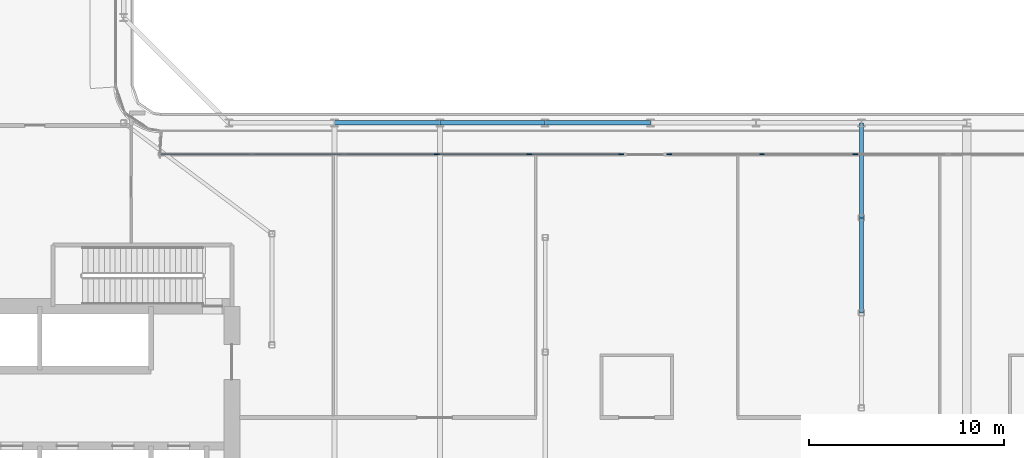
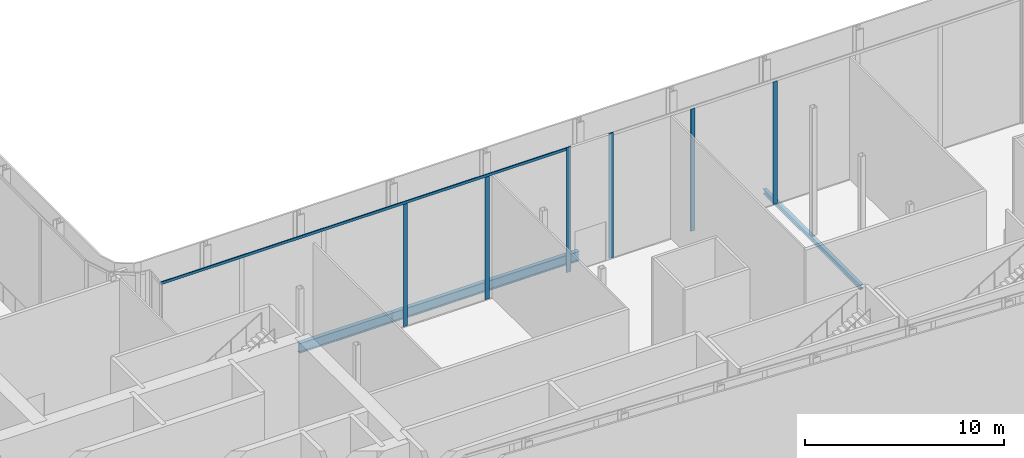
# One storey, part 10 of 37: 7 members, 5 beams, 2 elements without a shape of their own.
"""IFC4 building model written with IfcOpenShell, lengths in metres."""

from ifc_helpers import new_model, si_unit, direction, frame, origin, origin_2d, place, context, subcontext, project, spatial, rectangle, i_section, extrude, material, layer, layer_set, material_profile, profile_set, type_object, element, aggregate, save


model = new_model("IFC4")

# Units and contexts
model_context = context("Model", 3, precision=1e-05, world=origin(), true_north=direction((0.0, 1.0)))
body_context = subcontext(model_context, "Body", "Model", "MODEL_VIEW")
ifc_project = project(units=[si_unit("LENGTHUNIT", "METRE"), si_unit("AREAUNIT", "SQUARE_METRE"), si_unit("VOLUMEUNIT", "CUBIC_METRE"), si_unit("PLANEANGLEUNIT", "RADIAN"), si_unit("MASSUNIT", "GRAM", prefix="KILO")], contexts=[model_context])

# Site, building, storey
site_placement = place(None, origin())
site = spatial("IfcSite", under=ifc_project, at=site_placement, CompositionType="ELEMENT")
building_placement = place(site_placement, origin())
building = spatial("IfcBuilding", under=site, at=building_placement, Name="Kheshtan School and Residences Tower", CompositionType="ELEMENT")
storey_placement = place(building_placement, frame((0.0, 0.0, 144.800048828125)))
storey = spatial("IfcBuildingStorey", under=building, at=storey_placement, Name="L34", CompositionType="ELEMENT", Elevation=144.800048828125)

# Beams
ifc_material_1 = material(Name="Steel ASTM A992 Grade 50", Category="steel")
ifc_material_profile_1 = material_profile(ifc_material_1, i_section(OverallWidth=0.202880859375, OverallDepth=0.302978515625, WebThickness=0.007568359375, FlangeThickness=0.01318359375, FilletRadius=0.009033203125, at=origin_2d()), Name="W310x60")
ifc_profile_set_1 = profile_set([ifc_material_profile_1], Name="Steel ASTM A992 Grade 50")
beam_type_1 = type_object("IfcBeamType", Name="Beam FB1 W310x60 ASTM A992 Grade 50", PredefinedType="BEAM", material=ifc_profile_set_1)
for number, where, z_axis, x_axis, name in (
    (1, (85.39990234375, 45.60009765625, -0.301513671875), (0.0, -1.0, 0.0), (1.0, 0.0, 0.0), "Floor beam C067"),
    (2, (85.39990234375, 40.735107421875, -0.301513671875), (0.0, -1.0, 0.0), (1.0, 0.0, 0.0), "Floor beam IC"),
):
    element("IfcBeam", number, at=place(storey_placement, frame(where, z_axis=z_axis, x_axis=x_axis)), inside=storey, type_object=beam_type_1, Name=name, PredefinedType="BEAM", context=body_context, shape_type="SweptSolid", body=[
        extrude(i_section(OverallWidth=0.202880859375, OverallDepth=0.302978515625, WebThickness=0.007568359375, FlangeThickness=0.01318359375, FilletRadius=0.009033203125, at=origin_2d()), origin(), (0.0, 0.0, 1.0), 4.864990234375),
    ])
ifc_material_profile_2 = material_profile(ifc_material_1, i_section(OverallWidth=0.22802734375, OverallDepth=0.60302734375, WebThickness=0.010498046875, FlangeThickness=0.014892578125, FilletRadius=0.013427734375, at=origin_2d()), Name="W610x101")
ifc_profile_set_2 = profile_set([ifc_material_profile_2], Name="Steel ASTM A992 Grade 50")
beam_type_2 = type_object("IfcBeamType", Name="Beam SP2 W610x101 ASTM A992 Grade 50", PredefinedType="BEAM", material=ifc_profile_set_2)
beam_1_placement = place(storey_placement, frame((58.39990234375, 45.60009765625, -0.45166015625), z_axis=(1.0, 0.0, 0.0), x_axis=(0.0, 1.0, 0.0)))
element("IfcBeam", 3, at=beam_1_placement, inside=storey, type_object=beam_type_2, Name="Spandrel beam C062-C063", PredefinedType="BEAM", context=body_context, shape_type="SweptSolid", body=[
    extrude(i_section(OverallWidth=0.22802734375, OverallDepth=0.60302734375, WebThickness=0.010498046875, FlangeThickness=0.014892578125, FilletRadius=0.013427734375, at=origin_2d()), origin(), (0.0, 0.0, 1.0), 5.400146484375),
])
beam_2_placement = place(storey_placement, frame((63.800048828125, 45.60009765625, -0.45166015625), z_axis=(1.0, 0.0, 0.0), x_axis=(0.0, 1.0, 0.0)))
element("IfcBeam", 4, at=beam_2_placement, inside=storey, type_object=beam_type_2, Name="Spandrel beam C063-C064", PredefinedType="BEAM", context=body_context, shape_type="SweptSolid", body=[
    extrude(i_section(OverallWidth=0.22802734375, OverallDepth=0.60302734375, WebThickness=0.010498046875, FlangeThickness=0.014892578125, FilletRadius=0.013427734375, at=origin_2d()), origin(), (0.0, 0.0, 1.0), 5.39990234375),
])
beam_3_placement = place(storey_placement, frame((69.199951171875, 45.60009765625, -0.45166015625), z_axis=(1.0, 0.0, 0.0), x_axis=(0.0, 1.0, 0.0)))
element("IfcBeam", 5, at=beam_3_placement, inside=storey, type_object=beam_type_2, Name="Spandrel beam C064-C065", PredefinedType="BEAM", context=body_context, shape_type="SweptSolid", body=[
    extrude(i_section(OverallWidth=0.22802734375, OverallDepth=0.60302734375, WebThickness=0.010498046875, FlangeThickness=0.014892578125, FilletRadius=0.013427734375, at=origin_2d()), origin(), (0.0, 0.0, 1.0), 5.400146484375),
])

# Curtain wall, members
ifc_material_2 = material(Name="Clear low-e glass in thermally broken aluminium frame", Category="aluminium")
ifc_layer = layer(ifc_material_2, 0.25)
ifc_layer_set = layer_set([ifc_layer], Name="Curtain wall CW-G")
curtain_wall_type = type_object("IfcCurtainWallType", Name="Curtain wall CW-G", PredefinedType="NOTDEFINED", material=ifc_layer_set)
curtain_wall_1_placement = place(storey_placement, origin())
curtain_wall_1 = element("IfcCurtainWall", 6, at=curtain_wall_1_placement, inside=storey, type_object=curtain_wall_type, Name="Curtain wall CWG5", PredefinedType="NOTDEFINED")
ifc_material_3 = material(Name="Thermally broken aluminium, dark bronze anodised", Category="aluminium")
ifc_material_profile_3 = material_profile(ifc_material_3, rectangle(XDim=0.06005859375, YDim=0.25, at=origin_2d()), Name="CW-G mullion 60x250")
ifc_profile_set_3 = profile_set([ifc_material_profile_3], Name="Thermally broken aluminium, dark bronze anodised")
member_type_1 = type_object("IfcMemberType", Name="CW-G mullion 60x250", PredefinedType="MULLION", material=ifc_profile_set_3)
member_1_placement = place(storey_placement, frame((63.64990234375, 44.0, 0.0), z_axis=(0.0, 0.0, 1.0), x_axis=(0.0, 1.0, 0.0)))
member_1 = element("IfcMember", 7, at=member_1_placement, type_object=member_type_1, Name="CWG5 mullion 4", PredefinedType="MULLION", context=body_context, shape_type="SweptSolid", body=[
    extrude(rectangle(XDim=0.06005859375, YDim=0.25, at=origin_2d()), origin(), (0.0, 0.0, 1.0), 7.489990234375),
])
member_2_placement = place(storey_placement, frame((68.389892578125, 44.0, 0.0), z_axis=(0.0, 0.0, 1.0), x_axis=(0.0, 1.0, 0.0)))
member_2 = element("IfcMember", 8, at=member_2_placement, type_object=member_type_1, Name="CWG5 mullion 5", PredefinedType="MULLION", context=body_context, shape_type="SweptSolid", body=[
    extrude(rectangle(XDim=0.06005859375, YDim=0.25, at=origin_2d()), origin(), (0.0, 0.0, 1.0), 7.489990234375),
])
member_3_placement = place(storey_placement, frame((73.10009765625, 44.0, 0.0), z_axis=(0.0, 0.0, 1.0), x_axis=(0.0, 1.0, 0.0)))
member_3 = element("IfcMember", 9, at=member_3_placement, type_object=member_type_1, Name="CWG5 mullion 6", PredefinedType="MULLION", context=body_context, shape_type="SweptSolid", body=[
    extrude(rectangle(XDim=0.06005859375, YDim=0.25, at=origin_2d()), origin(), (0.0, 0.0, 1.0), 7.64990234375),
])

curtain_wall_2_placement = place(storey_placement, origin())
curtain_wall_2 = element("IfcCurtainWall", 10, at=curtain_wall_2_placement, inside=storey, type_object=curtain_wall_type, Name="Curtain wall CWG5a", PredefinedType="NOTDEFINED")
member_4_placement = place(storey_placement, frame((75.56005859375, 44.0, 0.0), z_axis=(0.0, 0.0, 1.0), x_axis=(0.0, 1.0, 0.0)))
member_4 = element("IfcMember", 11, at=member_4_placement, type_object=member_type_1, Name="CWG5a mullion 1", PredefinedType="MULLION", context=body_context, shape_type="SweptSolid", body=[
    extrude(rectangle(XDim=0.06005859375, YDim=0.25, at=origin_2d()), origin(), (0.0, 0.0, 1.0), 7.64990234375),
])
member_5_placement = place(storey_placement, frame((80.303955078125, 44.0, 0.0), z_axis=(0.0, 0.0, 1.0), x_axis=(0.0, 1.0, 0.0)))
member_5 = element("IfcMember", 12, at=member_5_placement, type_object=member_type_1, Name="CWG5a mullion 2", PredefinedType="MULLION", context=body_context, shape_type="SweptSolid", body=[
    extrude(rectangle(XDim=0.06005859375, YDim=0.25, at=origin_2d()), origin(), (0.0, 0.0, 1.0), 7.489990234375),
])
member_6_placement = place(storey_placement, frame((85.077880859375, 44.0, 0.0), z_axis=(0.0, 0.0, 1.0), x_axis=(0.0, 1.0, 0.0)))
member_6 = element("IfcMember", 13, at=member_6_placement, type_object=member_type_1, Name="CWG5a mullion 3", PredefinedType="MULLION", context=body_context, shape_type="SweptSolid", body=[
    extrude(rectangle(XDim=0.06005859375, YDim=0.25, at=origin_2d()), origin(), (0.0, 0.0, 1.0), 7.489990234375),
])
aggregate(curtain_wall_2, [member_4, member_5, member_6])

# Member
ifc_material_profile_4 = material_profile(ifc_material_3, rectangle(XDim=0.06005859375, YDim=0.159912109375, at=origin_2d()), Name="CW-G transom 60x160")
ifc_profile_set_4 = profile_set([ifc_material_profile_4], Name="Thermally broken aluminium, dark bronze anodised")
member_type_2 = type_object("IfcMemberType", Name="CW-G transom 60x160", PredefinedType="USERDEFINED", material=ifc_profile_set_4)
member_7_placement = place(storey_placement, frame((49.49267578125, 44.0, 7.570068359375), z_axis=(1.0, 0.0, 0.0), x_axis=(0.0, 1.0, 0.0)))
member_7 = element("IfcMember", 14, at=member_7_placement, type_object=member_type_2, Name="CWG5 transom 1", ObjectType="TRANSOM", PredefinedType="USERDEFINED", context=body_context, shape_type="SweptSolid", body=[
    extrude(rectangle(XDim=0.06005859375, YDim=0.159912109375, at=origin_2d()), origin(), (0.0, 0.0, 1.0), 23.577392578125),
])

aggregate(curtain_wall_1, [member_1, member_2, member_3, member_7])

save(model, "model.ifc")
